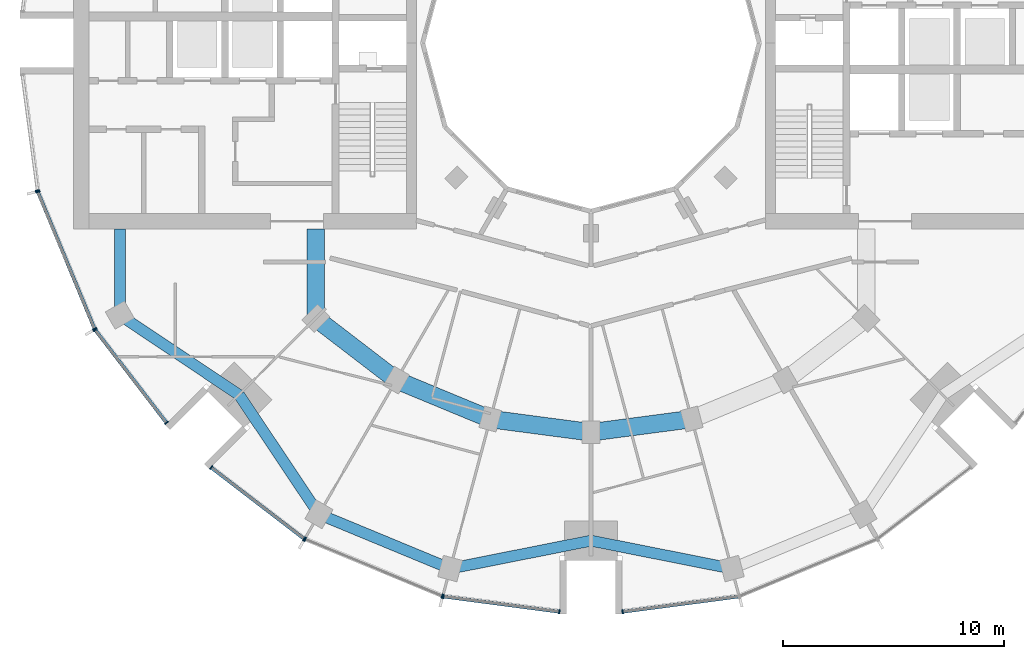
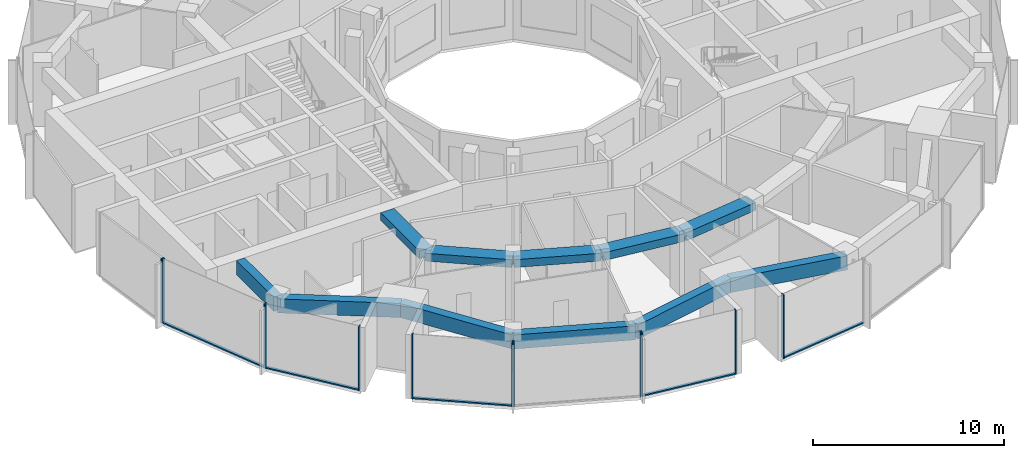
# One storey, part 2 of 15: 17 members, 11 beams, 7 elements without a shape of their own.
"""IFC4 building model written with IfcOpenShell, lengths in metres."""

from ifc_helpers import new_model, si_unit, direction, frame, origin, origin_2d, place, context, subcontext, project, spatial, rectangle, extrude, material, layer, layer_set, material_profile, profile_set, type_object, element, aggregate, save


model = new_model("IFC4")

# Units and contexts
model_context = context("Model", 3, precision=1e-05, world=origin(), true_north=direction((0.0, 1.0)))
body_context = subcontext(model_context, "Body", "Model", "MODEL_VIEW")
ifc_project = project(units=[si_unit("LENGTHUNIT", "METRE"), si_unit("AREAUNIT", "SQUARE_METRE"), si_unit("VOLUMEUNIT", "CUBIC_METRE"), si_unit("PLANEANGLEUNIT", "RADIAN"), si_unit("MASSUNIT", "GRAM", prefix="KILO")], contexts=[model_context])

# Site, building, storey
site_placement = place(None, origin())
site = spatial("IfcSite", under=ifc_project, at=site_placement, CompositionType="ELEMENT")
building_placement = place(site_placement, origin())
building = spatial("IfcBuilding", under=site, at=building_placement, Name="Torre Brocal", CompositionType="ELEMENT")
storey_placement = place(building_placement, frame((0.0, 0.0, 161.800048828125)))
storey = spatial("IfcBuildingStorey", under=building, at=storey_placement, Name="L37", CompositionType="ELEMENT", Elevation=161.800048828125)

# Curtain wall, members
ifc_material_1 = material(Name="Aluminium and glass", Category="aluminium")
ifc_layer_1 = layer(ifc_material_1, 0.199951171875)
ifc_layer_set_1 = layer_set([ifc_layer_1], Name="Aluminium and glass")
curtain_wall_type_1 = type_object("IfcCurtainWallType", Name="CW-1 CURTAIN WALL 4100 HIGH", PredefinedType="NOTDEFINED", material=ifc_layer_set_1)
curtain_wall_1_placement = place(storey_placement, origin())
curtain_wall_1 = element("IfcCurtainWall", 1, at=curtain_wall_1_placement, inside=storey, type_object=curtain_wall_type_1, Name="CW-1 RUN 14", PredefinedType="NOTDEFINED")
ifc_material_2 = material(Name="Aluminium, dark anodised", Category="aluminium")
ifc_material_profile_1 = material_profile(ifc_material_2, rectangle(XDim=0.199951171875, YDim=0.06005859375, at=origin_2d()), Name="CW-1 MULLION 60X200")
ifc_profile_set_1 = profile_set([ifc_material_profile_1], Name="Aluminium, dark anodised")
member_type_1 = type_object("IfcMemberType", Name="CW-1 MULLION 60X200", PredefinedType="MULLION", material=ifc_profile_set_1)
member_1_placement = place(storey_placement, frame((54.994873046875, 68.26904296875, 0.0), z_axis=(0.0, 0.0, 1.0), x_axis=(0.923879532525, 0.382683432333, 0.0)))
member_1 = element("IfcMember", 2, at=member_1_placement, type_object=member_type_1, Name="CW1-4 mullion 1", PredefinedType="MULLION", context=body_context, shape_type="SweptSolid", body=[
    extrude(rectangle(XDim=0.199951171875, YDim=0.06005859375, at=origin_2d()), origin(), (0.0, 0.0, 1.0), 4.099853515625),
])
member_2_placement = place(storey_placement, frame((57.559326171875, 62.078125, 0.0), z_axis=(0.0, 0.0, 1.0), x_axis=(0.923879532525, 0.382683432333, 0.0)))
member_2 = element("IfcMember", 3, at=member_2_placement, type_object=member_type_1, Name="CW1-4 mullion 2", PredefinedType="MULLION", context=body_context, shape_type="SweptSolid", body=[
    extrude(rectangle(XDim=0.199951171875, YDim=0.06005859375, at=origin_2d()), origin(), (0.0, 0.0, 1.0), 4.099853515625),
])

curtain_wall_2_placement = place(storey_placement, origin())
curtain_wall_2 = element("IfcCurtainWall", 4, at=curtain_wall_2_placement, inside=storey, type_object=curtain_wall_type_1, Name="CW-1 RUN 15", PredefinedType="NOTDEFINED")
member_3_placement = place(storey_placement, frame((57.5888671875, 62.026611328125, 0.0), z_axis=(0.0, 0.0, 1.0), x_axis=(0.793353340259, 0.60876142905, 0.0)))
member_3 = element("IfcMember", 5, at=member_3_placement, type_object=member_type_1, Name="CW1-4 mullion 1", PredefinedType="MULLION", context=body_context, shape_type="SweptSolid", body=[
    extrude(rectangle(XDim=0.199951171875, YDim=0.06005859375, at=origin_2d()), origin(), (0.0, 0.0, 1.0), 4.099853515625),
])
member_4_placement = place(storey_placement, frame((60.80859375, 57.83056640625, 0.0), z_axis=(0.0, 0.0, 1.0), x_axis=(0.793353340259, 0.60876142905, 0.0)))
member_4 = element("IfcMember", 6, at=member_4_placement, type_object=member_type_1, Name="CW1-4 mullion 2", PredefinedType="MULLION", context=body_context, shape_type="SweptSolid", body=[
    extrude(rectangle(XDim=0.199951171875, YDim=0.06005859375, at=origin_2d()), origin(), (0.0, 0.0, 1.0), 4.099853515625),
])

curtain_wall_3_placement = place(storey_placement, origin())
curtain_wall_3 = element("IfcCurtainWall", 7, at=curtain_wall_3_placement, inside=storey, type_object=curtain_wall_type_1, Name="CW-1 RUN 16", PredefinedType="NOTDEFINED")
member_5_placement = place(storey_placement, frame((62.83056640625, 55.80859375, 0.0), z_axis=(0.0, 0.0, 1.0), x_axis=(0.60876142905, 0.793353340259, 0.0)))
member_5 = element("IfcMember", 8, at=member_5_placement, type_object=member_type_1, Name="CW1-4 mullion 1", PredefinedType="MULLION", context=body_context, shape_type="SweptSolid", body=[
    extrude(rectangle(XDim=0.199951171875, YDim=0.06005859375, at=origin_2d()), origin(), (0.0, 0.0, 1.0), 4.099853515625),
])
member_6_placement = place(storey_placement, frame((67.026611328125, 52.5888671875, 0.0), z_axis=(0.0, 0.0, 1.0), x_axis=(0.60876142905, 0.793353340259, 0.0)))
member_6 = element("IfcMember", 9, at=member_6_placement, type_object=member_type_1, Name="CW1-4 mullion 2", PredefinedType="MULLION", context=body_context, shape_type="SweptSolid", body=[
    extrude(rectangle(XDim=0.199951171875, YDim=0.06005859375, at=origin_2d()), origin(), (0.0, 0.0, 1.0), 4.099853515625),
])

curtain_wall_4_placement = place(storey_placement, origin())
curtain_wall_4 = element("IfcCurtainWall", 10, at=curtain_wall_4_placement, inside=storey, type_object=curtain_wall_type_1, Name="CW-1 RUN 17", PredefinedType="NOTDEFINED")
member_7_placement = place(storey_placement, frame((67.078125, 52.559326171875, 0.0), z_axis=(0.0, 0.0, 1.0), x_axis=(0.382683432333, 0.923879532525, 0.0)))
member_7 = element("IfcMember", 11, at=member_7_placement, type_object=member_type_1, Name="CW1-4 mullion 1", PredefinedType="MULLION", context=body_context, shape_type="SweptSolid", body=[
    extrude(rectangle(XDim=0.199951171875, YDim=0.06005859375, at=origin_2d()), origin(), (0.0, 0.0, 1.0), 4.099853515625),
])
member_8_placement = place(storey_placement, frame((73.26904296875, 49.994873046875, 0.0), z_axis=(0.0, 0.0, 1.0), x_axis=(0.382683432333, 0.923879532525, 0.0)))
member_8 = element("IfcMember", 12, at=member_8_placement, type_object=member_type_1, Name="CW1-4 mullion 2", PredefinedType="MULLION", context=body_context, shape_type="SweptSolid", body=[
    extrude(rectangle(XDim=0.199951171875, YDim=0.06005859375, at=origin_2d()), origin(), (0.0, 0.0, 1.0), 4.099853515625),
])
aggregate(curtain_wall_4, [member_7, member_8])

curtain_wall_5_placement = place(storey_placement, origin())
curtain_wall_5 = element("IfcCurtainWall", 13, at=curtain_wall_5_placement, inside=storey, type_object=curtain_wall_type_1, Name="CW-1 RUN 18", PredefinedType="NOTDEFINED")
member_9_placement = place(storey_placement, frame((73.32666015625, 49.9794921875, 0.0), z_axis=(0.0, 0.0, 1.0), x_axis=(0.13052619222, 0.991444861374, 0.0)))
member_9 = element("IfcMember", 14, at=member_9_placement, type_object=member_type_1, Name="CW1-4 mullion 1", PredefinedType="MULLION", context=body_context, shape_type="SweptSolid", body=[
    extrude(rectangle(XDim=0.199951171875, YDim=0.06005859375, at=origin_2d()), origin(), (0.0, 0.0, 1.0), 4.099853515625),
])
member_10_placement = place(storey_placement, frame((78.5703125, 49.2890625, 0.0), z_axis=(0.0, 0.0, 1.0), x_axis=(0.13052619222, 0.991444861374, 0.0)))
member_10 = element("IfcMember", 15, at=member_10_placement, type_object=member_type_1, Name="CW1-4 mullion 2", PredefinedType="MULLION", context=body_context, shape_type="SweptSolid", body=[
    extrude(rectangle(XDim=0.199951171875, YDim=0.06005859375, at=origin_2d()), origin(), (0.0, 0.0, 1.0), 4.099853515625),
])

# Curtain wall, member
curtain_wall_6_placement = place(storey_placement, origin())
curtain_wall_6 = element("IfcCurtainWall", 16, at=curtain_wall_6_placement, inside=storey, type_object=curtain_wall_type_1, Name="CW-1 RUN 19", PredefinedType="NOTDEFINED")
member_11_placement = place(storey_placement, frame((81.4296875, 49.2890625, 0.0), z_axis=(0.0, 0.0, 1.0), x_axis=(-0.13052619222, 0.991444861374, 0.0)))
member_11 = element("IfcMember", 17, at=member_11_placement, type_object=member_type_1, Name="CW1-4 mullion 1", PredefinedType="MULLION", context=body_context, shape_type="SweptSolid", body=[
    extrude(rectangle(XDim=0.199951171875, YDim=0.06005859375, at=origin_2d()), origin(), (0.0, 0.0, 1.0), 4.099853515625),
])

# Member
ifc_material_3 = material(Name="Aluminium, dark anodised", Category="aluminium")
ifc_material_profile_2 = material_profile(ifc_material_3, rectangle(XDim=0.159912109375, YDim=0.080078125, at=origin_2d()), Name="CW-1 TRANSOM 160X80")
ifc_profile_set_2 = profile_set([ifc_material_profile_2], Name="Aluminium, dark anodised")
member_type_2 = type_object("IfcMemberType", Name="CW-1 TRANSOM 160X80", PredefinedType="USERDEFINED", material=ifc_profile_set_2)
member_12_placement = place(storey_placement, frame((55.00634765625, 68.241455078125, 0.0400390625), z_axis=(0.38266457234, -0.923887344364, 0.0), x_axis=(0.923887344364, 0.38266457234, 0.0)))
member_12 = element("IfcMember", 18, at=member_12_placement, type_object=member_type_2, Name="CW1-4 transom 1.1", ObjectType="TRANSOM", PredefinedType="USERDEFINED", context=body_context, shape_type="SweptSolid", body=[
    extrude(rectangle(XDim=0.159912109375, YDim=0.080078125, at=origin_2d()), origin(), (0.0, 0.0, 1.0), 6.640869140625),
])

aggregate(curtain_wall_1, [member_1, member_2, member_12])

member_13_placement = place(storey_placement, frame((57.607177734375, 62.0029296875, 0.0400390625), z_axis=(0.60874908096, -0.79336281513, 0.0), x_axis=(0.79336281513, 0.60874908096, 0.0)))
member_13 = element("IfcMember", 19, at=member_13_placement, type_object=member_type_2, Name="CW1-4 transom 1.1", ObjectType="TRANSOM", PredefinedType="USERDEFINED", context=body_context, shape_type="SweptSolid", body=[
    extrude(rectangle(XDim=0.159912109375, YDim=0.080078125, at=origin_2d()), origin(), (0.0, 0.0, 1.0), 5.22900390625),
])

aggregate(curtain_wall_2, [member_3, member_4, member_13])

member_14_placement = place(storey_placement, frame((62.8544921875, 55.790283203125, 0.0400390625), z_axis=(0.79336281513, -0.60874908096, 0.0), x_axis=(0.60874908096, 0.79336281513, 0.0)))
member_14 = element("IfcMember", 20, at=member_14_placement, type_object=member_type_2, Name="CW1-4 transom 1.1", ObjectType="TRANSOM", PredefinedType="USERDEFINED", context=body_context, shape_type="SweptSolid", body=[
    extrude(rectangle(XDim=0.159912109375, YDim=0.080078125, at=origin_2d()), origin(), (0.0, 0.0, 1.0), 5.22900390625),
])

aggregate(curtain_wall_3, [member_5, member_6, member_14])

member_15_placement = place(storey_placement, frame((73.356201171875, 49.9755859375, 0.0400390625), z_axis=(0.991442690863, -0.130542677827, 0.0), x_axis=(0.130542677827, 0.991442690863, 0.0)))
member_15 = element("IfcMember", 21, at=member_15_placement, type_object=member_type_2, Name="CW1-4 transom 1.1", ObjectType="TRANSOM", PredefinedType="USERDEFINED", context=body_context, shape_type="SweptSolid", body=[
    extrude(rectangle(XDim=0.159912109375, YDim=0.080078125, at=origin_2d()), origin(), (0.0, 0.0, 1.0), 5.22900390625),
])

aggregate(curtain_wall_5, [member_9, member_10, member_15])

member_16_placement = place(storey_placement, frame((81.45947265625, 49.29296875, 0.0400390625), z_axis=(0.991442690863, 0.130542677827, 0.0), x_axis=(-0.130542677827, 0.991442690863, 0.0)))
member_16 = element("IfcMember", 22, at=member_16_placement, type_object=member_type_2, Name="CW1-4 transom 1.1", ObjectType="TRANSOM", PredefinedType="USERDEFINED", context=body_context, shape_type="SweptSolid", body=[
    extrude(rectangle(XDim=0.159912109375, YDim=0.080078125, at=origin_2d()), origin(), (0.0, 0.0, 1.0), 5.22900390625),
])

aggregate(curtain_wall_6, [member_11, member_16])

# Curtain wall, member
ifc_material_4 = material(Name="Aluminium and glass", Category="aluminium")
ifc_layer_2 = layer(ifc_material_4, 0.199951171875)
ifc_layer_set_2 = layer_set([ifc_layer_2], Name="Aluminium and glass")
curtain_wall_type_2 = type_object("IfcCurtainWallType", Name="CW-1B CURTAIN WALL 4100 HIGH", PredefinedType="NOTDEFINED", material=ifc_layer_set_2)
curtain_wall_7_placement = place(storey_placement, origin())
curtain_wall_7 = element("IfcCurtainWall", 23, at=curtain_wall_7_placement, inside=storey, type_object=curtain_wall_type_2, Name="CW-1B RUN 13", PredefinedType="NOTDEFINED")
ifc_material_5 = material(Name="Aluminium, dark anodised", Category="aluminium")
ifc_material_profile_3 = material_profile(ifc_material_5, rectangle(XDim=0.199951171875, YDim=0.06005859375, at=origin_2d()), Name="CW-1B MULLION 60X200")
ifc_profile_set_3 = profile_set([ifc_material_profile_3], Name="Aluminium, dark anodised")
member_type_3 = type_object("IfcMemberType", Name="CW-1B MULLION 60X200", PredefinedType="MULLION", material=ifc_profile_set_3)
member_17_placement = place(storey_placement, frame((54.9794921875, 68.32666015625, 0.0), z_axis=(0.0, 0.0, 1.0), x_axis=(0.991444861374, 0.13052619222, 0.0)))
member_17 = element("IfcMember", 24, at=member_17_placement, type_object=member_type_3, Name="CW1B-4 mullion 2", PredefinedType="MULLION", context=body_context, shape_type="SweptSolid", body=[
    extrude(rectangle(XDim=0.199951171875, YDim=0.06005859375, at=origin_2d()), origin(), (0.0, 0.0, 1.0), 4.099853515625),
])
aggregate(curtain_wall_7, [member_17])

# Beams
ifc_material_6 = material(Name="Concrete C50", Category="concrete")
ifc_material_profile_4 = material_profile(ifc_material_6, rectangle(XDim=0.800048828125, YDim=0.5, at=origin_2d()), Name="RC 800X500")
ifc_profile_set_4 = profile_set([ifc_material_profile_4], Name="Concrete C50")
beam_type_1 = type_object("IfcBeamType", Name="RC BEAM 800X500 C50 TOP 3780", PredefinedType="BEAM", material=ifc_profile_set_4)
beam_1_placement = place(storey_placement, frame((67.554931640625, 62.554931640625, 3.530029296875), z_axis=(0.0, 1.0, 0.0), x_axis=(-1.0, 0.0, 0.0)))
element("IfcBeam", 25, at=beam_1_placement, inside=storey, type_object=beam_type_1, Name="Beam BT-32", PredefinedType="BEAM", context=body_context, shape_type="SweptSolid", body=[
    extrude(rectangle(XDim=0.800048828125, YDim=0.5, at=origin_2d()), origin(), (0.0, 0.0, 1.0), 4.045166015625),
])
beam_2_placement = place(storey_placement, frame((67.554931640625, 62.554931640625, 3.530029296875), z_axis=(0.793358265959, -0.6087550097, 0.0), x_axis=(0.6087550097, 0.793358265959, 0.0)))
element("IfcBeam", 26, at=beam_2_placement, inside=storey, type_object=beam_type_1, Name="Beam BT-32", PredefinedType="BEAM", context=body_context, shape_type="SweptSolid", body=[
    extrude(rectangle(XDim=0.800048828125, YDim=0.5, at=origin_2d()), origin(), (0.0, 0.0, 1.0), 4.594482421875),
])
beam_3_placement = place(storey_placement, frame((71.199951171875, 59.758056640625, 3.530029296875), z_axis=(0.923878240166, -0.382686552348, 0.0), x_axis=(0.382686552348, 0.923878240166, 0.0)))
element("IfcBeam", 27, at=beam_3_placement, inside=storey, type_object=beam_type_1, Name="Beam BT-32", PredefinedType="BEAM", context=body_context, shape_type="SweptSolid", body=[
    extrude(rectangle(XDim=0.800048828125, YDim=0.5, at=origin_2d()), origin(), (0.0, 0.0, 1.0), 4.5947265625),
])
for number, where, z_axis, x_axis, name in (
    (28, (75.44482421875, 57.999755859375, 3.530029296875), (0.991440544449, -0.130558978332, 0.0), (0.130558978332, 0.991440544449, 0.0), "Beam BT-32"),
    (29, (80.0, 57.39990234375, 3.530029296875), (0.991440544449, 0.130558978332, 0.0), (-0.130558978332, 0.991440544449, 0.0), "Beam BT-32"),
):
    element("IfcBeam", number, at=place(storey_placement, frame(where, z_axis=z_axis, x_axis=x_axis)), inside=storey, type_object=beam_type_1, Name=name, PredefinedType="BEAM", context=body_context, shape_type="SweptSolid", body=[
        extrude(rectangle(XDim=0.800048828125, YDim=0.5, at=origin_2d()), origin(), (0.0, 0.0, 1.0), 4.594482421875),
    ])
ifc_material_7 = material(Name="Concrete C50", Category="concrete")
ifc_material_profile_5 = material_profile(ifc_material_7, rectangle(XDim=0.5, YDim=0.89990234375, at=origin_2d()), Name="RC 500X900")
ifc_profile_set_5 = profile_set([ifc_material_profile_5], Name="Concrete C50")
beam_type_2 = type_object("IfcBeamType", Name="RC SPANDREL BEAM 500X900 C50 TOP 3780", PredefinedType="SPANDREL", material=ifc_profile_set_5)
beam_4_placement = place(storey_placement, frame((58.69580078125, 62.699951171875, 3.329833984375), z_axis=(0.0, 1.0, 0.0), x_axis=(-1.0, 0.0, 0.0)))
element("IfcBeam", 30, at=beam_4_placement, inside=storey, type_object=beam_type_2, Name="Beam BT-33", PredefinedType="SPANDREL", context=body_context, shape_type="SweptSolid", body=[
    extrude(rectangle(XDim=0.5, YDim=0.89990234375, at=origin_2d()), origin(), (0.0, 0.0, 1.0), 3.900146484375),
])
for number, where, z_axis, x_axis, name in (
    (31, (58.69580078125, 62.699951171875, 3.329833984375), (0.831076844476, -0.556157602282, 0.0), (0.556157602282, 0.831076844476, 0.0), "Beam BT-33"),
    (32, (64.090087890625, 59.090087890625, 3.329833984375), (0.556157602282, -0.831076844476, 0.0), (0.831076844476, 0.556157602282, 0.0), "Beam BT-33"),
):
    element("IfcBeam", number, at=place(storey_placement, frame(where, z_axis=z_axis, x_axis=x_axis)), inside=storey, type_object=beam_type_2, Name=name, PredefinedType="SPANDREL", context=body_context, shape_type="SweptSolid", body=[
        extrude(rectangle(XDim=0.5, YDim=0.89990234375, at=origin_2d()), origin(), (0.0, 0.0, 1.0), 6.49072265625),
    ])
beam_5_placement = place(storey_placement, frame((67.699951171875, 53.69580078125, 3.329833984375), z_axis=(0.923882462513, -0.382676358639, 0.0), x_axis=(0.382676358639, 0.923882462513, 0.0)))
element("IfcBeam", 33, at=beam_5_placement, inside=storey, type_object=beam_type_2, Name="Beam BT-33", PredefinedType="SPANDREL", context=body_context, shape_type="SweptSolid", body=[
    extrude(rectangle(XDim=0.5, YDim=0.89990234375, at=origin_2d()), origin(), (0.0, 0.0, 1.0), 6.421875),
])
for number, where, z_axis, x_axis, name in (
    (34, (73.633056640625, 51.23828125, 3.329833984375), (0.980924907484, 0.194387051723, 0.0), (-0.194387051723, 0.980924907484, 0.0), "Beam BT-33"),
    (35, (80.0, 52.5, 3.329833984375), (0.980924907484, -0.194387051723, 0.0), (0.194387051723, 0.980924907484, 0.0), "Beam BT-33"),
):
    element("IfcBeam", number, at=place(storey_placement, frame(where, z_axis=z_axis, x_axis=x_axis)), inside=storey, type_object=beam_type_2, Name=name, PredefinedType="SPANDREL", context=body_context, shape_type="SweptSolid", body=[
        extrude(rectangle(XDim=0.5, YDim=0.89990234375, at=origin_2d()), origin(), (0.0, 0.0, 1.0), 6.49072265625),
    ])

save(model, "model.ifc")
